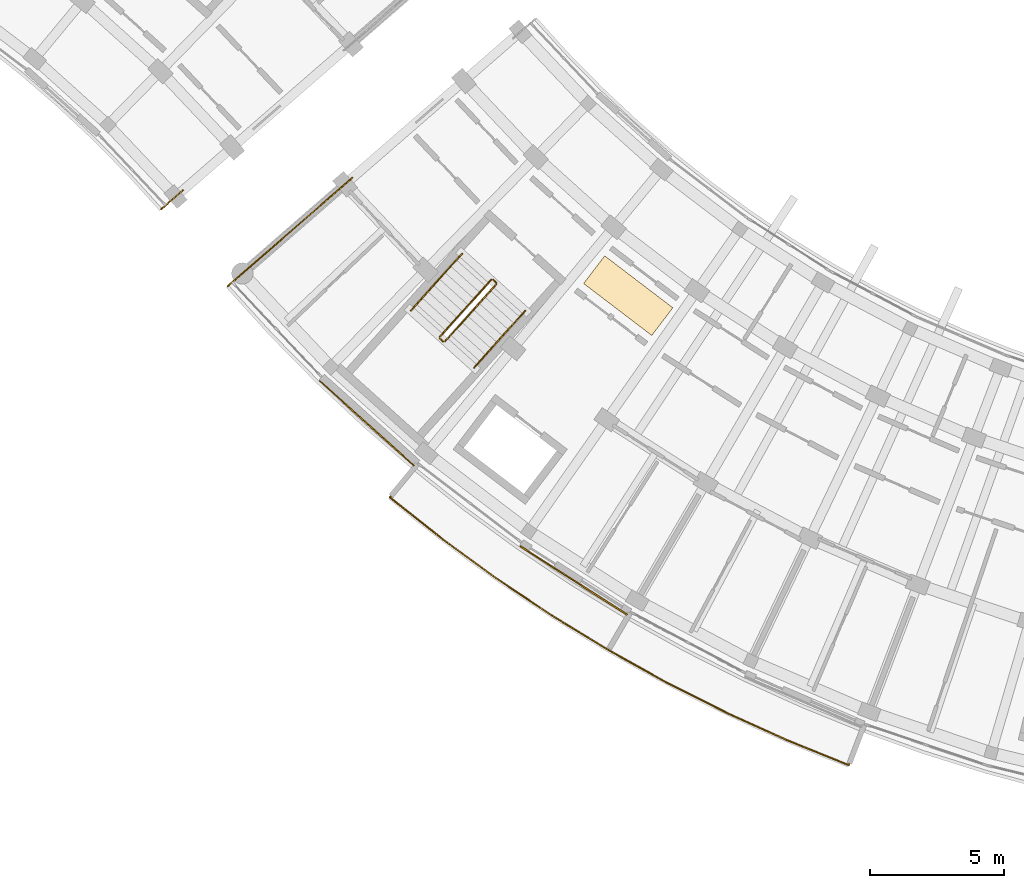
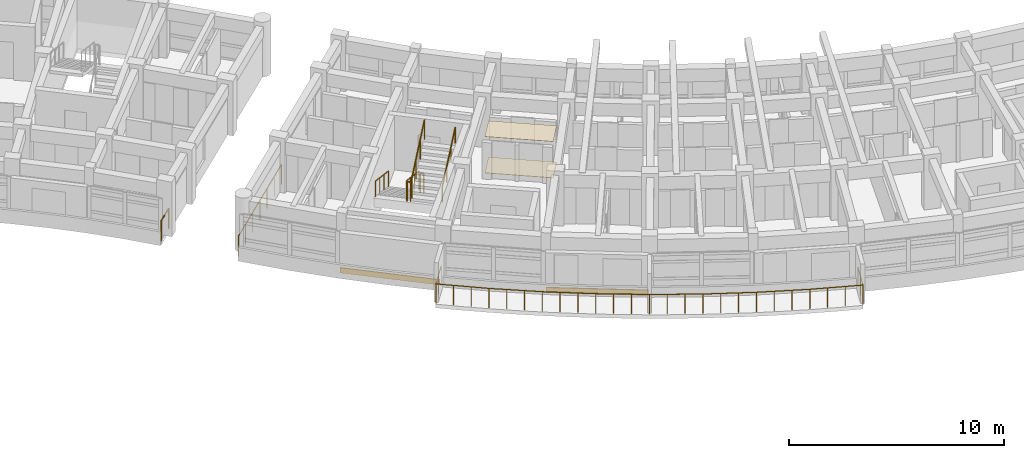
# One storey, part 46 of 55: 9 railings, 4 coverings.
"""IFC4 building model written with IfcOpenShell, lengths in metres."""

from ifc_helpers import new_model, si_unit, direction, frame, origin, origin_2d, place, context, subcontext, project, spatial, rectangle, circle, extrude, material, layer, layer_set, type_object, element, save


model = new_model("IFC4")

# Units and contexts
model_context = context("Model", 3, precision=1e-05, world=origin(), true_north=direction((0.0, 1.0)))
body_context = subcontext(model_context, "Body", "Model", "MODEL_VIEW")
ifc_project = project(units=[si_unit("LENGTHUNIT", "METRE"), si_unit("AREAUNIT", "SQUARE_METRE"), si_unit("VOLUMEUNIT", "CUBIC_METRE"), si_unit("PLANEANGLEUNIT", "RADIAN"), si_unit("MASSUNIT", "GRAM", prefix="KILO")], contexts=[model_context])

# Site, building, storey
site_placement = place(None, origin())
site = spatial("IfcSite", under=ifc_project, at=site_placement, CompositionType="ELEMENT")
building_placement = place(site_placement, origin())
building = spatial("IfcBuilding", under=site, at=building_placement, Name="Zimvara Arc Housing Community", CompositionType="ELEMENT")
storey_placement = place(building_placement, frame((0.0, 0.0, 14.300048828125)))
storey = spatial("IfcBuildingStorey", under=building, at=storey_placement, Name="L04", CompositionType="ELEMENT", Elevation=14.300048828125)

# Coverings
ifc_material_1 = material(Name="Pale-Gold Anodised Aluminium Cladding", Category="aluminium")
ifc_layer_1 = layer(ifc_material_1, 0.044921875)
ifc_layer_set_1 = layer_set([ifc_layer_1], Name="Pale-Gold Anodised Aluminium Cladding")
covering_type_1 = type_object("IfcCoveringType", Name="CLD-GOLD-02", PredefinedType="CLADDING", material=ifc_layer_set_1)
covering_1_placement = place(storey_placement, frame((86.18994140625, 65.637451171875, 0.009765625), z_axis=(0.0, 0.0, 1.0), x_axis=(0.74337718344, -0.668872456557, 0.0)))
element("IfcCovering", 1, at=covering_1_placement, inside=storey, type_object=covering_type_1, Name="cld:blkC:L04:out:b1", PredefinedType="CLADDING", context=body_context, shape_type="SweptSolid", body=[
    extrude(rectangle(XDim=4.748779296875, YDim=0.044921875, at=origin_2d()), origin(), (0.0, 0.0, 1.0), 0.300048828125),
])
ifc_material_2 = material(Name="Pale-Gold Anodised Aluminium Cladding", Category="aluminium")
ifc_layer_2 = layer(ifc_material_2, 0.054931640625)
ifc_layer_set_2 = layer_set([ifc_layer_2], Name="Pale-Gold Anodised Aluminium Cladding")
covering_type_2 = type_object("IfcCoveringType", Name="CLD-GOLD-04", PredefinedType="CLADDING", material=ifc_layer_set_2)
covering_2_placement = place(storey_placement, frame((93.917236328125, 59.763427734375, 0.009765625), z_axis=(0.0, 0.0, 1.0), x_axis=(0.842265220048, -0.53906335351, 0.0)))
element("IfcCovering", 2, at=covering_2_placement, inside=storey, type_object=covering_type_2, Name="cld:blkC:L04:out:b3", PredefinedType="CLADDING", context=body_context, shape_type="SweptSolid", body=[
    extrude(rectangle(XDim=4.748779296875, YDim=0.054931640625, at=origin_2d()), origin(), (0.0, 0.0, 1.0), 0.300048828125),
])
ifc_material_3 = material(Name="Perforated Acoustic Ceiling Board")
ifc_layer_3 = layer(ifc_material_3, 0.01806640625)
ifc_layer_set_3 = layer_set([ifc_layer_3], Name="Perforated Acoustic Ceiling Board")
covering_type_3 = type_object("IfcCoveringType", Name="COV-CEIL-01", PredefinedType="CEILING", material=ifc_layer_set_3)
covering_3_placement = place(storey_placement, frame((95.954833984375, 70.40087890625, 2.06201171875), z_axis=(0.0, 0.0, 1.0), x_axis=(-0.605988400266, -0.795473480855, 0.0)))
element("IfcCovering", 3, at=covering_3_placement, inside=storey, type_object=covering_type_3, Name="ceil:blkC:L04", PredefinedType="CEILING", context=body_context, shape_type="SweptSolid", body=[
    extrude(rectangle(XDim=1.300048828125, YDim=3.199951171875, at=origin_2d()), origin(), (0.0, 0.0, 1.0), 0.01806640625),
])
ifc_material_4 = material(Name="Polished Coastal Sand Terrazzo")
ifc_layer_4 = layer(ifc_material_4, 0.02001953125)
ifc_layer_set_4 = layer_set([ifc_layer_4], Name="Polished Coastal Sand Terrazzo")
covering_type_4 = type_object("IfcCoveringType", Name="COV-FLOR-01", PredefinedType="FLOORING", material=ifc_layer_set_4)
covering_4_placement = place(storey_placement, frame((95.954833984375, 70.40087890625, 0.0), z_axis=(0.0, 0.0, 1.0), x_axis=(-0.605988400266, -0.795473480855, 0.0)))
element("IfcCovering", 4, at=covering_4_placement, inside=storey, type_object=covering_type_4, Name="flor:blkC:L04", PredefinedType="FLOORING", context=body_context, shape_type="SweptSolid", body=[
    extrude(rectangle(XDim=1.300048828125, YDim=3.199951171875, at=origin_2d()), origin(), (0.0, 0.0, 1.0), 0.02001953125),
])

# Railings
ifc_material_5 = material(Name="Anodised Aluminium AW-6063", Category="aluminium")
railing_type_1 = type_object("IfcRailingType", Name="RLG-BAL-1120", PredefinedType="BALUSTRADE", material=ifc_material_5)
railing_1_placement = place(storey_placement, frame((87.9892578125, 64.00244140625, 0.0)))
element("IfcRailing", 5, at=railing_1_placement, inside=storey, type_object=railing_type_1, Name="rlg:blkC:L04:bal_out_guard", PredefinedType="BALUSTRADE", context=body_context, shape_type="SweptSolid", body=[
    extrude(circle(Radius=0.02392578125, at=origin_2d()), frame((0.0, 0.0, 1.09619140625), z_axis=(-0.637910943987, -0.770110139877, 0.0), x_axis=(0.770110139877, -0.637910943987, 0.0)), (0.0, 0.0, 1.0), 1.469970703125),
    extrude(circle(Radius=0.02392578125, at=origin_2d()), frame((-0.937744140625, -1.132080078125, 1.09619140625), z_axis=(0.782995761949, -0.622027038616, 0.0), x_axis=(0.622027038616, 0.782995761949, 0.0)), (0.0, 0.0, 1.0), 2.491943359375),
    extrude(circle(Radius=0.02392578125, at=origin_2d()), frame((1.013427734375, -2.68212890625, 1.09619140625), z_axis=(0.807645933057, -0.58966774273, 0.0), x_axis=(0.58966774273, 0.807645933057, 0.0)), (0.0, 0.0, 1.0), 2.491943359375),
    extrude(circle(Radius=0.02392578125, at=origin_2d()), frame((3.026123046875, -4.151611328125, 1.09619140625), z_axis=(0.831084288939, -0.556146477719, 0.0), x_axis=(0.556146477719, 0.831084288939, 0.0)), (0.0, 0.0, 1.0), 2.49169921875),
    extrude(circle(Radius=0.02392578125, at=origin_2d()), frame((5.096923828125, -5.537353515625, 1.09619140625), z_axis=(0.85308804422, -0.521766987083, 0.0), x_axis=(0.521766987083, 0.85308804422, 0.0)), (0.0, 0.0, 1.0), 2.4921875),
    extrude(circle(Radius=0.02392578125, at=origin_2d()), frame((7.222900390625, -6.837646484375, 1.09619140625), z_axis=(0.873694706728, -0.48647462363, 0.0), x_axis=(0.48647462363, 0.873694706728, 0.0)), (0.0, 0.0, 1.0), 2.49169921875),
    extrude(circle(Radius=0.02392578125, at=origin_2d()), frame((9.39990234375, -8.0498046875, 1.09619140625), z_axis=(0.892794985218, -0.450463221994, 0.0), x_axis=(0.450463221994, 0.892794985218, 0.0)), (0.0, 0.0, 1.0), 2.491943359375),
    extrude(circle(Radius=0.02392578125, at=origin_2d()), frame((11.624755859375, -9.17236328125, 1.09619140625), z_axis=(0.910497277135, -0.413515064212, 0.0), x_axis=(0.413515064212, 0.910497277135, 0.0)), (0.0, 0.0, 1.0), 2.4921875),
    extrude(circle(Radius=0.02392578125, at=origin_2d()), frame((13.893798828125, -10.202880859375, 1.09619140625), z_axis=(0.926599979092, -0.376048505843, 0.0), x_axis=(0.376048505843, 0.926599979092, 0.0)), (0.0, 0.0, 1.0), 2.49169921875),
    extrude(circle(Radius=0.02392578125, at=origin_2d()), frame((16.20263671875, -11.139892578125, 1.09619140625), z_axis=(0.357086323574, 0.934071387805, 0.0), x_axis=(-0.934071387805, 0.357086323574, 0.0)), (0.0, 0.0, 1.0), 1.469970703125),
    extrude(circle(Radius=0.02099609375, at=origin_2d()), origin(), (0.0, 0.0, 1.0), 1.072021484375),
    extrude(circle(Radius=0.02099609375, at=origin_2d()), frame((-0.46875, -0.56591796875, 0.0)), (0.0, 0.0, 1.0), 1.072021484375),
    extrude(circle(Radius=0.02099609375, at=origin_2d()), frame((-0.937744140625, -1.132080078125, 0.0)), (0.0, 0.0, 1.0), 1.072021484375),
    extrude(circle(Radius=0.02099609375, at=origin_2d()), frame((-0.287353515625, -1.648681640625, 0.0)), (0.0, 0.0, 1.0), 1.072021484375),
    extrude(circle(Radius=0.02099609375, at=origin_2d()), frame((0.363037109375, -2.16552734375, 0.0)), (0.0, 0.0, 1.0), 1.072021484375),
    extrude(circle(Radius=0.02099609375, at=origin_2d()), frame((1.013427734375, -2.68212890625, 0.0)), (0.0, 0.0, 1.0), 1.072021484375),
    extrude(circle(Radius=0.02099609375, at=origin_2d()), frame((1.684326171875, -3.171875, 0.0)), (0.0, 0.0, 1.0), 1.072021484375),
    extrude(circle(Radius=0.02099609375, at=origin_2d()), frame((2.355224609375, -3.661865234375, 0.0)), (0.0, 0.0, 1.0), 1.072021484375),
    extrude(circle(Radius=0.02099609375, at=origin_2d()), frame((3.026123046875, -4.151611328125, 0.0)), (0.0, 0.0, 1.0), 1.072021484375),
    extrude(circle(Radius=0.02099609375, at=origin_2d()), frame((3.71630859375, -4.613525390625, 0.0)), (0.0, 0.0, 1.0), 1.072021484375),
    extrude(circle(Radius=0.02099609375, at=origin_2d()), frame((4.40673828125, -5.075439453125, 0.0)), (0.0, 0.0, 1.0), 1.072021484375),
    extrude(circle(Radius=0.02099609375, at=origin_2d()), frame((5.096923828125, -5.537353515625, 0.0)), (0.0, 0.0, 1.0), 1.072021484375),
    extrude(circle(Radius=0.02099609375, at=origin_2d()), frame((5.8056640625, -5.970703125, 0.0)), (0.0, 0.0, 1.0), 1.072021484375),
    extrude(circle(Radius=0.02099609375, at=origin_2d()), frame((6.51416015625, -6.404296875, 0.0)), (0.0, 0.0, 1.0), 1.072021484375),
    extrude(circle(Radius=0.02099609375, at=origin_2d()), frame((7.222900390625, -6.837646484375, 0.0)), (0.0, 0.0, 1.0), 1.072021484375),
    extrude(circle(Radius=0.02099609375, at=origin_2d()), frame((7.948486328125, -7.24169921875, 0.0)), (0.0, 0.0, 1.0), 1.072021484375),
    extrude(circle(Radius=0.02099609375, at=origin_2d()), frame((8.67431640625, -7.645751953125, 0.0)), (0.0, 0.0, 1.0), 1.072021484375),
    extrude(circle(Radius=0.02099609375, at=origin_2d()), frame((9.39990234375, -8.0498046875, 0.0)), (0.0, 0.0, 1.0), 1.072021484375),
    extrude(circle(Radius=0.02099609375, at=origin_2d()), frame((10.1416015625, -8.424072265625, 0.0)), (0.0, 0.0, 1.0), 1.072021484375),
    extrude(circle(Radius=0.02099609375, at=origin_2d()), frame((10.883056640625, -8.798095703125, 0.0)), (0.0, 0.0, 1.0), 1.072021484375),
    extrude(circle(Radius=0.02099609375, at=origin_2d()), frame((11.624755859375, -9.17236328125, 0.0)), (0.0, 0.0, 1.0), 1.072021484375),
    extrude(circle(Radius=0.02099609375, at=origin_2d()), frame((12.381103515625, -9.515869140625, 0.0)), (0.0, 0.0, 1.0), 1.072021484375),
    extrude(circle(Radius=0.02099609375, at=origin_2d()), frame((13.137451171875, -9.859375, 0.0)), (0.0, 0.0, 1.0), 1.072021484375),
    extrude(circle(Radius=0.02099609375, at=origin_2d()), frame((13.893798828125, -10.202880859375, 0.0)), (0.0, 0.0, 1.0), 1.072021484375),
    extrude(circle(Radius=0.02099609375, at=origin_2d()), frame((14.663330078125, -10.51513671875, 0.0)), (0.0, 0.0, 1.0), 1.072021484375),
    extrude(circle(Radius=0.02099609375, at=origin_2d()), frame((15.43310546875, -10.82763671875, 0.0)), (0.0, 0.0, 1.0), 1.072021484375),
    extrude(circle(Radius=0.02099609375, at=origin_2d()), frame((16.20263671875, -11.139892578125, 0.0)), (0.0, 0.0, 1.0), 1.072021484375),
    extrude(circle(Radius=0.02099609375, at=origin_2d()), frame((16.465087890625, -10.453369140625, 0.0)), (0.0, 0.0, 1.0), 1.072021484375),
    extrude(circle(Radius=0.02099609375, at=origin_2d()), frame((16.7275390625, -9.766845703125, 0.0)), (0.0, 0.0, 1.0), 1.072021484375),
])
railing_2_placement = place(storey_placement, frame((90.83447265625, 70.993896484375, 0.155029296875)))
element("IfcRailing", 6, at=railing_2_placement, inside=storey, type_object=railing_type_1, Name="L04 ST-C1 stair guard 1", PredefinedType="BALUSTRADE", context=body_context, shape_type="SweptSolid", body=[
    extrude(circle(Radius=0.02392578125, at=origin_2d()), frame((0.0, 0.0, 1.09619140625), z_axis=(-0.601262536038, -0.668205807809, 0.438160200347), x_axis=(0.743362010683, -0.668889319, 0.0)), (0.0, 0.0, 1.0), 3.183837890625),
    extrude(circle(Radius=0.02099609375, at=origin_2d()), origin(), (0.0, 0.0, 1.0), 1.072021484375),
    extrude(circle(Radius=0.02099609375, at=origin_2d()), frame((-0.63818359375, -0.709228515625, 0.465087890625)), (0.0, 0.0, 1.0), 1.072021484375),
    extrude(circle(Radius=0.02099609375, at=origin_2d()), frame((-1.276123046875, -1.418212890625, 0.929931640625)), (0.0, 0.0, 1.0), 1.072021484375),
    extrude(circle(Radius=0.02099609375, at=origin_2d()), frame((-1.914306640625, -2.12744140625, 1.39501953125)), (0.0, 0.0, 1.0), 1.072021484375),
])
railing_3_placement = place(storey_placement, frame((88.923828125, 68.795654296875, 1.550048828125)))
element("IfcRailing", 7, at=railing_3_placement, inside=storey, type_object=railing_type_1, Name="L04 ST-C1 stair guard 2", PredefinedType="BALUSTRADE", context=body_context, shape_type="SweptSolid", body=[
    extrude(circle(Radius=0.02392578125, at=origin_2d()), frame((0.0, 0.0, 1.09619140625), z_axis=(0.744203407529, -0.667953058397, 0.0), x_axis=(0.667953058397, 0.744203407529, 0.0)), (0.0, 0.0, 1.0), 0.16015625),
    extrude(circle(Radius=0.02099609375, at=origin_2d()), origin(), (0.0, 0.0, 1.0), 1.072021484375),
    extrude(circle(Radius=0.02099609375, at=origin_2d()), frame((0.119140625, -0.10693359375, 0.0)), (0.0, 0.0, 1.0), 1.072021484375),
])
railing_4_placement = place(storey_placement, frame((89.113525390625, 68.6923828125, 1.704833984375)))
element("IfcRailing", 8, at=railing_4_placement, inside=storey, type_object=railing_type_1, Name="L04 ST-C1 stair guard 3", PredefinedType="BALUSTRADE", context=body_context, shape_type="SweptSolid", body=[
    extrude(circle(Radius=0.02392578125, at=origin_2d()), frame((0.0, 0.0, 1.09619140625), z_axis=(0.601231728384, 0.668248248038, 0.438137749775), x_axis=(-0.743400174344, 0.668846903847, 0.0)), (0.0, 0.0, 1.0), 3.18408203125),
    extrude(circle(Radius=0.02099609375, at=origin_2d()), origin(), (0.0, 0.0, 1.0), 1.072021484375),
    extrude(circle(Radius=0.02099609375, at=origin_2d()), frame((0.63818359375, 0.709228515625, 0.465087890625)), (0.0, 0.0, 1.0), 1.072021484375),
    extrude(circle(Radius=0.02099609375, at=origin_2d()), frame((1.276123046875, 1.41845703125, 0.929931640625)), (0.0, 0.0, 1.0), 1.072021484375),
    extrude(circle(Radius=0.02099609375, at=origin_2d()), frame((1.914306640625, 2.127685546875, 1.39501953125)), (0.0, 0.0, 1.0), 1.072021484375),
])
railing_5_placement = place(storey_placement, frame((90.905029296875, 70.99755859375, 0.0)))
element("IfcRailing", 9, at=railing_5_placement, inside=storey, type_object=railing_type_1, Name="L04 ST-C1 stair guard 4", PredefinedType="BALUSTRADE", context=body_context, shape_type="SweptSolid", body=[
    extrude(circle(Radius=0.02392578125, at=origin_2d()), frame((0.0, 0.0, 1.09619140625), z_axis=(0.744203407529, -0.667953058397, 0.0), x_axis=(0.667953058397, 0.744203407529, 0.0)), (0.0, 0.0, 1.0), 0.16015625),
    extrude(circle(Radius=0.02099609375, at=origin_2d()), origin(), (0.0, 0.0, 1.0), 1.072021484375),
    extrude(circle(Radius=0.02099609375, at=origin_2d()), frame((0.119140625, -0.10693359375, 0.0)), (0.0, 0.0, 1.0), 1.072021484375),
])
ifc_material_6 = material(Name="Anodised Aluminium AW-6063", Category="aluminium")
railing_type_2 = type_object("IfcRailingType", Name="RLG-BAL-1150", PredefinedType="BALUSTRADE", material=ifc_material_6)
railing_6_placement = place(storey_placement, frame((78.509033203125, 73.62890625, 0.0)))
element("IfcRailing", 10, at=railing_6_placement, inside=storey, type_object=railing_type_2, Name="rlg:blkB:L04:gable_in:gN", PredefinedType="BALUSTRADE", context=body_context, shape_type="SweptSolid", body=[
    extrude(circle(Radius=0.02392578125, at=origin_2d()), frame((0.0, 0.0, 1.1259765625), z_axis=(0.754659042762, 0.656117161167, 0.0), x_axis=(-0.656117161167, 0.754659042762, 0.0)), (0.0, 0.0, 1.0), 1.080322265625),
    extrude(circle(Radius=0.02099609375, at=origin_2d()), origin(), (0.0, 0.0, 1.0), 1.101806640625),
    extrude(circle(Radius=0.02099609375, at=origin_2d()), frame((0.815185546875, 0.708740234375, 0.0)), (0.0, 0.0, 1.0), 1.101806640625),
])
railing_7_placement = place(storey_placement, frame((85.6484375, 74.80029296875, 0.0)))
element("IfcRailing", 11, at=railing_7_placement, inside=storey, type_object=railing_type_2, Name="rlg:blkC:L04:gable_out:g0", PredefinedType="BALUSTRADE", context=body_context, shape_type="SweptSolid", body=[
    extrude(circle(Radius=0.02392578125, at=origin_2d()), frame((0.0, 0.0, 1.1259765625), z_axis=(-0.754706192268, -0.656062926367, 0.0), x_axis=(0.656062926367, -0.754706192268, 0.0)), (0.0, 0.0, 1.0), 6.16015625),
    extrude(circle(Radius=0.02099609375, at=origin_2d()), origin(), (0.0, 0.0, 1.0), 1.101806640625),
    extrude(circle(Radius=0.02099609375, at=origin_2d()), frame((-0.77490234375, -0.673583984375, 0.0)), (0.0, 0.0, 1.0), 1.101806640625),
    extrude(circle(Radius=0.02099609375, at=origin_2d()), frame((-1.5498046875, -1.34716796875, 0.0)), (0.0, 0.0, 1.0), 1.101806640625),
    extrude(circle(Radius=0.02099609375, at=origin_2d()), frame((-2.32470703125, -2.020751953125, 0.0)), (0.0, 0.0, 1.0), 1.101806640625),
    extrude(circle(Radius=0.02099609375, at=origin_2d()), frame((-3.099365234375, -2.6943359375, 0.0)), (0.0, 0.0, 1.0), 1.101806640625),
    extrude(circle(Radius=0.02099609375, at=origin_2d()), frame((-3.874267578125, -3.367919921875, 0.0)), (0.0, 0.0, 1.0), 1.101806640625),
    extrude(circle(Radius=0.02099609375, at=origin_2d()), frame((-4.649169921875, -4.04150390625, 0.0)), (0.0, 0.0, 1.0), 1.101806640625),
])
ifc_material_7 = material(Name="Anodised Aluminium AW-6063", Category="aluminium")
railing_type_3 = type_object("IfcRailingType", Name="RLG-HND-900", PredefinedType="HANDRAIL", material=ifc_material_7)
railing_8_placement = place(storey_placement, frame((89.749267578125, 71.970458984375, 0.155029296875)))
element("IfcRailing", 12, at=railing_8_placement, inside=storey, type_object=railing_type_3, Name="L04 ST-C1 stair handrail 1", PredefinedType="HANDRAIL", context=body_context, shape_type="SweptSolid", body=[
    extrude(circle(Radius=0.02392578125, at=origin_2d()), frame((0.0, 0.0, 0.8759765625), z_axis=(-0.601262536038, -0.668205807809, 0.438160200347), x_axis=(0.743362010683, -0.668889319, 0.0)), (0.0, 0.0, 1.0), 3.183837890625),
    extrude(circle(Radius=0.02099609375, at=origin_2d()), origin(), (0.0, 0.0, 1.0), 0.851806640625),
    extrude(circle(Radius=0.02099609375, at=origin_2d()), frame((-0.63818359375, -0.709228515625, 0.465087890625)), (0.0, 0.0, 1.0), 0.851806640625),
    extrude(circle(Radius=0.02099609375, at=origin_2d()), frame((-1.276123046875, -1.418212890625, 0.929931640625)), (0.0, 0.0, 1.0), 0.851806640625),
    extrude(circle(Radius=0.02099609375, at=origin_2d()), frame((-1.914306640625, -2.12744140625, 1.39501953125)), (0.0, 0.0, 1.0), 0.851806640625),
])
railing_9_placement = place(storey_placement, frame((90.19873046875, 67.7158203125, 1.704833984375)))
element("IfcRailing", 13, at=railing_9_placement, inside=storey, type_object=railing_type_3, Name="L04 ST-C1 stair handrail 2", PredefinedType="HANDRAIL", context=body_context, shape_type="SweptSolid", body=[
    extrude(circle(Radius=0.02392578125, at=origin_2d()), frame((0.0, 0.0, 0.8759765625), z_axis=(0.601231728384, 0.668248248038, 0.438137749775), x_axis=(-0.743400174344, 0.668846903847, 0.0)), (0.0, 0.0, 1.0), 3.18408203125),
    extrude(circle(Radius=0.02099609375, at=origin_2d()), origin(), (0.0, 0.0, 1.0), 0.851806640625),
    extrude(circle(Radius=0.02099609375, at=origin_2d()), frame((0.63818359375, 0.709228515625, 0.465087890625)), (0.0, 0.0, 1.0), 0.851806640625),
    extrude(circle(Radius=0.02099609375, at=origin_2d()), frame((1.276123046875, 1.41845703125, 0.929931640625)), (0.0, 0.0, 1.0), 0.851806640625),
    extrude(circle(Radius=0.02099609375, at=origin_2d()), frame((1.914306640625, 2.127685546875, 1.39501953125)), (0.0, 0.0, 1.0), 0.851806640625),
])

save(model, "model.ifc")
